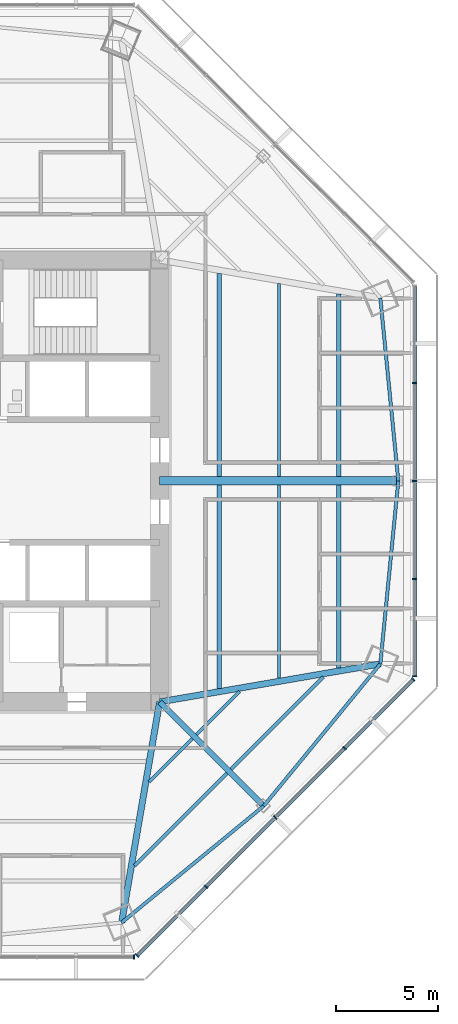
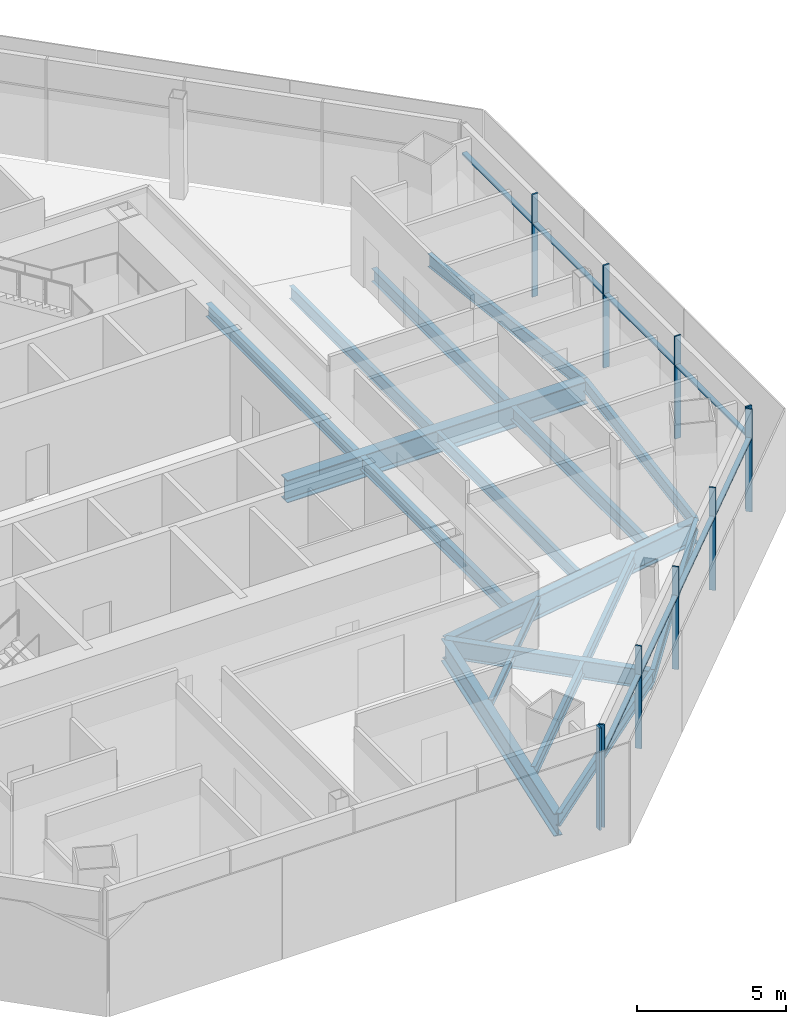
# One storey, part 4 of 15: 18 beams, 18 members, 3 elements without a shape of their own.
"""IFC4 building model written with IfcOpenShell, lengths in metres."""

import ifcopenshell
import ifcopenshell.guid

model = None  # the IFC model being written
_history = None  # IfcOwnerHistory: only IFC2X3 demands one
_inside = {}  # id of a spatial element -> (the spatial element, [elements in it])
_under = {}  # id of a project, library or spatial element -> (it, [spatial elements below it])
_declared = {}  # id of a project -> (the project, [libraries it declares])
_typed = {}  # id of a type object -> (the type object, [elements of that type])
_made_of = {}  # id of a material, layer set ... -> (it, [elements and type objects made of it])


def new_model(schema):
    """Start an empty IFC model of exactly this schema.

    Asked for "IFC4X3", IfcOpenShell would pick the latest addendum, in which some entities
    have other attributes; the version numbers below select the first issue.
    IFC2X3 requires an IfcOwnerHistory on every rooted entity: one is made here for all.
    """
    global model, _history
    if schema == "IFC4X3":
        model = ifcopenshell.file(schema_version=(4, 3, 0, 0))
    else:
        model = ifcopenshell.file(schema=schema)
    _inside.clear()
    _under.clear()
    _declared.clear()
    _typed.clear()
    _made_of.clear()
    _history = None
    if model.schema == "IFC2X3":
        org = make("IfcOrganization", Name="unknown")
        user = make(
            "IfcPersonAndOrganization",
            ThePerson=make("IfcPerson", FamilyName="unknown"),
            TheOrganization=org,
        )
        app = make(
            "IfcApplication",
            ApplicationDeveloper=org,
            Version="unknown",
            ApplicationFullName="unknown",
            ApplicationIdentifier="unknown",
        )
        _history = make(
            "IfcOwnerHistory",
            OwningUser=user,
            OwningApplication=app,
            ChangeAction="ADDED",
            CreationDate=0,
        )
    return model


def make(cls, **values):
    """One entity of the class cls with the attributes given. An attribute that is None is left unset."""
    return model.create_entity(
        cls, **{name: value for name, value in values.items() if value is not None}
    )


def rooted(cls, **values):
    """An entity with a GlobalId (a new one), such as an element, a storey or a relation."""
    return make(cls, GlobalId=ifcopenshell.guid.new(), OwnerHistory=_history, **values)


def si_unit(unit_type, name, prefix=None):
    """IfcSIUnit, for example si_unit("LENGTHUNIT", "METRE", prefix="MILLI")."""
    return make("IfcSIUnit", UnitType=unit_type, Prefix=prefix, Name=name)


def assignment(units):
    """IfcUnitAssignment: the units of a project."""
    return None if units is None else make("IfcUnitAssignment", Units=units)


def point(xyz):
    """IfcCartesianPoint."""
    return None if xyz is None else make("IfcCartesianPoint", Coordinates=xyz)


def direction(xyz):
    """IfcDirection."""
    return None if xyz is None else make("IfcDirection", DirectionRatios=xyz)


def frame(location, z_axis=None, x_axis=None):
    """IfcAxis2Placement3D, a coordinate frame: its origin and axes. An axis left out is left unset."""
    return make(
        "IfcAxis2Placement3D",
        Location=point(location),
        Axis=direction(z_axis),
        RefDirection=direction(x_axis),
    )


def frame_2d(location, x_axis=None):
    """IfcAxis2Placement2D, a coordinate frame in the plane: its origin and x axis."""
    return make(
        "IfcAxis2Placement2D", Location=point(location), RefDirection=direction(x_axis)
    )


def origin():
    """The frame at (0, 0, 0) with its axes left unset."""
    return frame((0.0, 0.0, 0.0))


def origin_2d():
    """The frame at (0, 0) in the plane with its x axis left unset."""
    return frame_2d((0.0, 0.0))


def place(relative_to, where):
    """IfcLocalPlacement: puts the frame where relative to a parent placement (None: the world)."""
    return make(
        "IfcLocalPlacement", PlacementRelTo=relative_to, RelativePlacement=where
    )


def context(
    kind, dimensions, precision=None, world=None, true_north=None, identifier=None
):
    """IfcGeometricRepresentationContext, for example the 3D "Model" context."""
    return make(
        "IfcGeometricRepresentationContext",
        ContextIdentifier=identifier,
        ContextType=kind,
        CoordinateSpaceDimension=dimensions,
        Precision=precision,
        WorldCoordinateSystem=world,
        TrueNorth=true_north,
    )


def subcontext(parent, identifier, kind, view, scale=None):
    """IfcGeometricRepresentationSubContext, for example "Body" below "Model"."""
    return make(
        "IfcGeometricRepresentationSubContext",
        ContextIdentifier=identifier,
        ContextType=kind,
        ParentContext=parent,
        TargetScale=scale,
        TargetView=view,
    )


def project(units=None, contexts=None):
    """IfcProject with its units and contexts."""
    return rooted(
        "IfcProject",
        Name="project",
        RepresentationContexts=contexts,
        UnitsInContext=assignment(units),
    )


def spatial(cls, under=None, at=None, **own):
    """A site, building, storey or space (cls), placed at a placement, below another one or the project."""
    s = rooted(cls, ObjectPlacement=at, **own)
    if under is not None:
        _under.setdefault(under.id(), (under, []))[1].append(s)
    return s


def profile(cls, at=None, kind="AREA", **sizes):
    """A parametric profile (cls). Its sizes go by their IFC names, for example OverallWidth=200.0."""
    return make(cls, ProfileType=kind, Position=at, **sizes)


def rectangle(**sizes):
    """IfcRectangleProfileDef."""
    return profile("IfcRectangleProfileDef", **sizes)


def i_section(**sizes):
    """IfcIShapeProfileDef."""
    return profile("IfcIShapeProfileDef", **sizes)


def extrude(swept, where, along, depth):
    """IfcExtrudedAreaSolid: the profile swept, set in the frame where, extruded along a direction by depth."""
    return make(
        "IfcExtrudedAreaSolid",
        SweptArea=swept,
        Position=where,
        ExtrudedDirection=direction(along),
        Depth=depth,
    )


def shape(context_of_items, identifier, shape_type, items):
    """IfcShapeRepresentation: the items that make up one representation, for example the "Body"."""
    return make(
        "IfcShapeRepresentation",
        ContextOfItems=context_of_items,
        RepresentationIdentifier=identifier,
        RepresentationType=shape_type,
        Items=items,
    )


def source(mapping_origin, context_of_items, identifier, shape_type, items):
    """IfcRepresentationMap: a shape defined once, which mapped items show again and again."""
    return make(
        "IfcRepresentationMap",
        MappingOrigin=mapping_origin,
        MappedRepresentation=shape(context_of_items, identifier, shape_type, items),
    )


def transform(
    local_origin,
    x_axis=None,
    y_axis=None,
    z_axis=None,
    scale=None,
    scale2=None,
    scale3=None,
    uniform=True,
):
    """IfcCartesianTransformationOperator3D, or its non-uniform kind. x_axis, y_axis, z_axis: its Axis1, 2, 3."""
    if uniform:
        return make(
            "IfcCartesianTransformationOperator3D",
            Axis1=direction(x_axis),
            Axis2=direction(y_axis),
            LocalOrigin=point(local_origin),
            Scale=scale,
            Axis3=direction(z_axis),
        )
    return make(
        "IfcCartesianTransformationOperator3DnonUniform",
        Axis1=direction(x_axis),
        Axis2=direction(y_axis),
        LocalOrigin=point(local_origin),
        Scale=scale,
        Axis3=direction(z_axis),
        Scale2=scale2,
        Scale3=scale3,
    )


def mapped(mapping_source, mapping_target):
    """IfcMappedItem: shows the shape of a source again, moved by a transform."""
    return make(
        "IfcMappedItem", MappingSource=mapping_source, MappingTarget=mapping_target
    )


def material(Name=None, Category=None):
    """IfcMaterial."""
    return make("IfcMaterial", Name=Name, Category=Category)


def material_profile(
    of_material, cross_section, Name=None, Category=None, Priority=None
):
    """IfcMaterialProfile: a cross section and its material."""
    return make(
        "IfcMaterialProfile",
        Name=Name,
        Material=of_material,
        Profile=cross_section,
        Priority=Priority,
        Category=Category,
    )


def profile_set(profiles, Name=None, composite=None):
    """IfcMaterialProfileSet."""
    return make(
        "IfcMaterialProfileSet",
        Name=Name,
        MaterialProfiles=profiles,
        CompositeProfile=composite,
    )


def made_of(thing, what):
    """Note that an element or type object is made of a material, layer set ...; save() writes the relation."""
    if what is not None:
        _made_of.setdefault(what.id(), (what, []))[1].append(thing)
    return thing


def type_object(cls, material=None, **own):
    """A type object (cls), such as IfcWallType, which elements share."""
    return made_of(rooted(cls, **own), material)


def type_shapes(of_type, sources):
    """Give a type object the sources (RepresentationMaps) that its elements show as mapped items."""
    of_type.RepresentationMaps = sources


def element(
    cls,
    number,
    at=None,
    inside=None,
    cuts=None,
    type_object=None,
    material=None,
    context=None,
    identifier="Body",
    shape_type=None,
    held_by="IfcProductDefinitionShape",
    body=None,
    shapes=None,
    **own,
):
    """One element of the class cls, such as IfcWall. Its Tag is "e" and its number.

    at: its placement. inside: the storey or other place that contains it. cuts: it is an
    opening in that element (IfcRelVoidsElement). A single representation is given by context,
    identifier, shape_type and body (its items); several are given by shapes. held_by: the class
    of the entity that holds the representations. save() writes the other relations.
    """
    e = rooted(cls, Tag="e%d" % number, ObjectPlacement=at, **own)
    if body is not None:
        shapes = [shape(context, identifier, shape_type, body)]
    if shapes is not None:
        e.Representation = make(held_by, Representations=shapes)
    if inside is not None:
        _inside.setdefault(inside.id(), (inside, []))[1].append(e)
    if cuts is not None:
        rooted(
            "IfcRelVoidsElement", RelatingBuildingElement=cuts, RelatedOpeningElement=e
        )
    if type_object is not None:
        _typed.setdefault(type_object.id(), (type_object, []))[1].append(e)
    return made_of(e, material)


def aggregate(whole, parts):
    """IfcRelAggregates: a whole, such as a stair, and the parts it consists of."""
    return rooted("IfcRelAggregates", RelatingObject=whole, RelatedObjects=parts)


def save(model, path):
    """Write the relations noted so far, then the file.

    IfcRelAggregates (storeys below a building ...), IfcRelContainedInSpatialStructure (elements
    in a storey), IfcRelDefinesByType, IfcRelAssociatesMaterial and IfcRelDeclares: one each for
    every whole, place, type object, material and project.
    """
    for whole, parts in _under.values():
        aggregate(whole, parts)
    for where, things in _inside.values():
        rooted(
            "IfcRelContainedInSpatialStructure",
            RelatedElements=things,
            RelatingStructure=where,
        )
    for kind, things in _typed.values():
        rooted("IfcRelDefinesByType", RelatedObjects=things, RelatingType=kind)
    for what, things in _made_of.values():
        rooted("IfcRelAssociatesMaterial", RelatedObjects=things, RelatingMaterial=what)
    for by, libraries in _declared.values():
        rooted("IfcRelDeclares", RelatingContext=by, RelatedDefinitions=libraries)
    model.write(path)


model = new_model("IFC4")

# Units and contexts
model_context = context("Model", 3, precision=1e-05, world=origin(), true_north=direction((0.0, 1.0)))
body_context = subcontext(model_context, "Body", "Model", "MODEL_VIEW")
ifc_project = project(units=[si_unit("LENGTHUNIT", "METRE"), si_unit("AREAUNIT", "SQUARE_METRE"), si_unit("VOLUMEUNIT", "CUBIC_METRE"), si_unit("PLANEANGLEUNIT", "RADIAN"), si_unit("MASSUNIT", "GRAM", prefix="KILO")], contexts=[model_context])

# Site, building, storey
site_placement = place(None, origin())
site = spatial("IfcSite", under=ifc_project, at=site_placement, CompositionType="ELEMENT")
building_placement = place(site_placement, origin())
building = spatial("IfcBuilding", under=site, at=building_placement, Name="Mashrafa Tower", CompositionType="ELEMENT")
storey_placement = place(building_placement, frame((0.0, 0.0, 168.0)))
storey = spatial("IfcBuildingStorey", under=building, at=storey_placement, Name="L38", CompositionType="ELEMENT", Elevation=168.0)

# Beams
ifc_material_1 = material(Name="Steel ASTM A992", Category="steel")
ifc_material_profile_1 = material_profile(ifc_material_1, i_section(OverallWidth=0.164794921875, OverallDepth=0.309814453125, WebThickness=0.005859375, FlangeThickness=0.009765625, FilletRadius=0.007568359375, at=origin_2d()), Name="W12X26")
ifc_profile_set_1 = profile_set([ifc_material_profile_1], Name="Steel ASTM A992")
beam_type_1 = type_object("IfcBeamType", Name="Beam W12X26", PredefinedType="BEAM", material=ifc_profile_set_1)
for number, where, z_axis, x_axis, name in (
    (1, (12.401123046875, -12.58984375, -0.31982421875), (-0.707066026927, -0.707147533097, 0.0), (0.707147533097, -0.707066026927, 0.0), "Floor beam L38 029"),
    (2, (14.7080078125, -10.283203125, -0.31982421875), (-0.707147533097, -0.707066026927, 0.0), (0.707066026927, -0.707147533097, 0.0), "Floor beam L38 035"),
):
    element("IfcBeam", number, at=place(storey_placement, frame(where, z_axis=z_axis, x_axis=x_axis)), inside=storey, type_object=beam_type_1, Name=name, PredefinedType="BEAM", context=body_context, shape_type="SweptSolid", body=[
        extrude(i_section(OverallWidth=0.164794921875, OverallDepth=0.309814453125, WebThickness=0.005859375, FlangeThickness=0.009765625, FilletRadius=0.007568359375, at=origin_2d()), origin(), (0.0, 0.0, 1.0), 2.995361328125),
    ])
ifc_material_2 = material(Name="Steel ASTM A992", Category="steel")
ifc_material_profile_2 = material_profile(ifc_material_2, i_section(OverallWidth=0.1650390625, OverallDepth=0.52587890625, WebThickness=0.0087890625, FlangeThickness=0.011474609375, FilletRadius=0.0126953125, at=origin_2d()), Name="W21X44")
ifc_profile_set_2 = profile_set([ifc_material_profile_2], Name="Steel ASTM A992")
beam_type_2 = type_object("IfcBeamType", Name="Beam W21X44", PredefinedType="BEAM", material=ifc_profile_set_2)
beam_1_placement = place(storey_placement, frame((14.0966796875, -14.285400390625, -0.427978515625), z_axis=(-0.707125882114, -0.707087679743, 0.0), x_axis=(0.707087679743, -0.707125882114, 0.0)))
element("IfcBeam", 3, at=beam_1_placement, inside=storey, type_object=beam_type_2, Name="Floor beam L38 033", PredefinedType="BEAM", context=body_context, shape_type="SweptSolid", body=[
    extrude(i_section(OverallWidth=0.1650390625, OverallDepth=0.52587890625, WebThickness=0.0087890625, FlangeThickness=0.011474609375, FilletRadius=0.0126953125, at=origin_2d()), origin(), (0.0, 0.0, 1.0), 6.390625),
])
for number, where, z_axis, x_axis, name in (
    (4, (16.63330078125, -0.20947265625, -0.427978515625), (0.0, -1.0, 0.0), (1.0, 0.0, 0.0), "Floor beam L38 036"),
    (5, (16.63330078125, 9.6396484375, -0.427978515625), (0.0, -1.0, 0.0), (1.0, 0.0, 0.0), "Floor beam L38 037"),
):
    element("IfcBeam", number, at=place(storey_placement, frame(where, z_axis=z_axis, x_axis=x_axis)), inside=storey, type_object=beam_type_2, Name=name, PredefinedType="BEAM", context=body_context, shape_type="SweptSolid", body=[
        extrude(i_section(OverallWidth=0.1650390625, OverallDepth=0.52587890625, WebThickness=0.0087890625, FlangeThickness=0.011474609375, FilletRadius=0.0126953125, at=origin_2d()), origin(), (0.0, 0.0, 1.0), 9.43017578125),
    ])
beam_2_placement = place(storey_placement, frame((18.80419921875, -9.57763671875, -0.427978515625), z_axis=(-0.707087679743, -0.707125882114, 0.0), x_axis=(0.707125882114, -0.707087679743, 0.0)))
element("IfcBeam", 6, at=beam_2_placement, inside=storey, type_object=beam_type_2, Name="Floor beam L38 038", PredefinedType="BEAM", context=body_context, shape_type="SweptSolid", body=[
    extrude(i_section(OverallWidth=0.1650390625, OverallDepth=0.52587890625, WebThickness=0.0087890625, FlangeThickness=0.011474609375, FilletRadius=0.0126953125, at=origin_2d()), origin(), (0.0, 0.0, 1.0), 6.390625),
])
for number, where, z_axis, x_axis, name in (
    (7, (8.9423828125, -21.588623046875, -0.427978515625), (0.772831431566, 0.634611360112, 0.0), (-0.634611360112, 0.772831431566, 0.0), "Spandrel beam L38 066"),
    (8, (15.886474609375, -15.886474609375, -0.427978515625), (0.634611360112, 0.772831431566, 0.0), (-0.772831431566, 0.634611360112, 0.0), "Spandrel beam L38 068"),
    (9, (21.588623046875, -8.9423828125, -0.427978515625), (0.097733423294, 0.995212629528, 0.0), (-0.995212629528, 0.097733423294, 0.0), "Spandrel beam L38 070"),
    (10, (22.466796875, 0.0, -0.427978515625), (-0.097733423294, 0.995212629528, 0.0), (-0.995212629528, -0.097733423294, 0.0), "Spandrel beam L38 072"),
):
    element("IfcBeam", number, at=place(storey_placement, frame(where, z_axis=z_axis, x_axis=x_axis)), inside=storey, type_object=beam_type_2, Name=name, PredefinedType="BEAM", context=body_context, shape_type="SweptSolid", body=[
        extrude(i_section(OverallWidth=0.1650390625, OverallDepth=0.52587890625, WebThickness=0.0087890625, FlangeThickness=0.011474609375, FilletRadius=0.0126953125, at=origin_2d()), origin(), (0.0, 0.0, 1.0), 8.9853515625),
    ])
ifc_material_3 = material(Name="Steel ASTM A992", Category="steel")
ifc_material_profile_3 = material_profile(ifc_material_3, i_section(OverallWidth=0.209228515625, OverallDepth=0.533447265625, WebThickness=0.01025390625, FlangeThickness=0.015625, FilletRadius=0.012939453125, at=origin_2d()), Name="W21X62")
ifc_profile_set_3 = profile_set([ifc_material_profile_3], Name="Steel ASTM A992")
beam_type_3 = type_object("IfcBeamType", Name="Beam W21X62", PredefinedType="BEAM", material=ifc_profile_set_3)
for number, where, z_axis, x_axis, name in (
    (11, (13.716796875, -0.20947265625, -0.431640625), (0.0, -1.0, 0.0), (1.0, 0.0, 0.0), "Floor beam L38 031"),
    (12, (13.716796875, 10.141845703125, -0.431640625), (0.0, -1.0, 0.0), (1.0, 0.0, 0.0), "Floor beam L38 032"),
):
    element("IfcBeam", number, at=place(storey_placement, frame(where, z_axis=z_axis, x_axis=x_axis)), inside=storey, type_object=beam_type_3, Name=name, PredefinedType="BEAM", context=body_context, shape_type="SweptSolid", body=[
        extrude(i_section(OverallWidth=0.209228515625, OverallDepth=0.533447265625, WebThickness=0.01025390625, FlangeThickness=0.015625, FilletRadius=0.012939453125, at=origin_2d()), origin(), (0.0, 0.0, 1.0), 9.932373046875),
    ])
for number, where, z_axis, x_axis, name in (
    (13, (19.55029296875, -0.20947265625, -0.431640625), (0.0, -1.0, 0.0), (1.0, 0.0, 0.0), "Floor beam L38 039"),
    (14, (19.55029296875, 9.137451171875, -0.431640625), (0.0, -1.0, 0.0), (1.0, 0.0, 0.0), "Floor beam L38 040"),
):
    element("IfcBeam", number, at=place(storey_placement, frame(where, z_axis=z_axis, x_axis=x_axis)), inside=storey, type_object=beam_type_3, Name=name, PredefinedType="BEAM", context=body_context, shape_type="SweptSolid", body=[
        extrude(i_section(OverallWidth=0.209228515625, OverallDepth=0.533447265625, WebThickness=0.01025390625, FlangeThickness=0.015625, FilletRadius=0.012939453125, at=origin_2d()), origin(), (0.0, 0.0, 1.0), 8.927978515625),
    ])
ifc_material_4 = material(Name="Steel ASTM A992", Category="steel")
ifc_material_profile_4 = material_profile(ifc_material_4, i_section(OverallWidth=0.2666015625, OverallDepth=0.75439453125, WebThickness=0.01318359375, FlangeThickness=0.01708984375, FilletRadius=0.0166015625, at=origin_2d()), Name="W30X99")
ifc_profile_set_4 = profile_set([ifc_material_profile_4], Name="Steel ASTM A992")
beam_type_4 = type_object("IfcBeamType", Name="Beam W30X99", PredefinedType="BEAM", material=ifc_profile_set_4)
beam_3_placement = place(storey_placement, frame((10.800048828125, -10.800048828125, -0.542236328125), z_axis=(0.707106781187, -0.707106781187, 0.0), x_axis=(0.707106781187, 0.707106781187, 0.0)))
element("IfcBeam", 15, at=beam_3_placement, inside=storey, type_object=beam_type_4, Name="Radial girder L38 051", PredefinedType="BEAM", context=body_context, shape_type="SweptSolid", body=[
    extrude(i_section(OverallWidth=0.2666015625, OverallDepth=0.75439453125, WebThickness=0.01318359375, FlangeThickness=0.01708984375, FilletRadius=0.0166015625, at=origin_2d()), origin(), (0.0, 0.0, 1.0), 7.193359375),
])
ifc_material_5 = material(Name="Steel ASTM A992", Category="steel")
ifc_material_profile_5 = material_profile(ifc_material_5, i_section(OverallWidth=0.307373046875, OverallDepth=0.927001953125, WebThickness=0.01953125, FlangeThickness=0.031982421875, FilletRadius=0.01904296875, at=origin_2d()), Name="W36X194")
ifc_profile_set_5 = profile_set([ifc_material_profile_5], Name="Steel ASTM A992")
beam_type_5 = type_object("IfcBeamType", Name="Beam W36X194", PredefinedType="BEAM", material=ifc_profile_set_5)
for number, where, z_axis, x_axis, name in (
    (16, (10.800048828125, -10.800048828125, -0.628662109375), (-0.169691083637, -0.985497303971, 0.0), (0.985497303971, -0.169691083637, 0.0), "Radial girder L38 050"),
    (17, (10.800048828125, -10.800048828125, -0.628662109375), (0.985497303971, 0.169691083637, 0.0), (-0.169691083637, 0.985497303971, 0.0), "Radial girder L38 052"),
):
    element("IfcBeam", number, at=place(storey_placement, frame(where, z_axis=z_axis, x_axis=x_axis)), inside=storey, type_object=beam_type_5, Name=name, PredefinedType="BEAM", context=body_context, shape_type="SweptSolid", body=[
        extrude(i_section(OverallWidth=0.307373046875, OverallDepth=0.927001953125, WebThickness=0.01953125, FlangeThickness=0.031982421875, FilletRadius=0.01904296875, at=origin_2d()), origin(), (0.0, 0.0, 1.0), 10.947265625),
    ])
ifc_material_6 = material(Name="Steel ASTM A992", Category="steel")
ifc_material_profile_6 = material_profile(ifc_material_6, i_section(OverallWidth=0.419189453125, OverallDepth=0.927001953125, WebThickness=0.019287109375, FlangeThickness=0.031982421875, FilletRadius=0.020263671875, at=origin_2d()), Name="W36X231")
ifc_profile_set_6 = profile_set([ifc_material_profile_6], Name="Steel ASTM A992")
beam_type_6 = type_object("IfcBeamType", Name="Beam W36X231", PredefinedType="BEAM", material=ifc_profile_set_6)
beam_4_placement = place(storey_placement, frame((10.800048828125, 0.0, -0.628662109375), z_axis=(1.0, 0.0, 0.0), x_axis=(0.0, 1.0, 0.0)))
element("IfcBeam", 18, at=beam_4_placement, inside=storey, type_object=beam_type_6, Name="Radial girder L38 053", PredefinedType="BEAM", context=body_context, shape_type="SweptSolid", body=[
    extrude(i_section(OverallWidth=0.419189453125, OverallDepth=0.927001953125, WebThickness=0.019287109375, FlangeThickness=0.031982421875, FilletRadius=0.020263671875, at=origin_2d()), origin(), (0.0, 0.0, 1.0), 11.666748046875),
])

# Curtain wall, members
ifc_material_7 = material(Name="Unitised aluminium curtain wall", Category="aluminium")
curtain_wall_type = type_object("IfcCurtainWallType", Name="Office curtain wall, zone 2 CW-B 225 deep", PredefinedType="NOTDEFINED", material=ifc_material_7)
curtain_wall_1_placement = place(storey_placement, origin())
curtain_wall_1 = element("IfcCurtainWall", 19, at=curtain_wall_1_placement, inside=storey, type_object=curtain_wall_type, Name="Office curtain wall, zone 2 L38 east", PredefinedType="NOTDEFINED")
ifc_material_8 = material(Name="Extruded aluminium mullion", Category="aluminium")
ifc_material_profile_7 = material_profile(ifc_material_8, rectangle(XDim=0.22509765625, YDim=0.06494140625, at=origin_2d()), Name="Mullion 65x225")
ifc_profile_set_7 = profile_set([ifc_material_profile_7], Name="Extruded aluminium mullion")
member_type_1 = type_object("IfcMemberType", Name="Mullion CW-B 65 x 225", PredefinedType="MULLION", material=ifc_profile_set_7)
shared_shape_1 = source(origin(), body_context, "Body", "SweptSolid", [
    extrude(rectangle(XDim=0.22509765625, YDim=0.06494140625, at=origin_2d()), origin(), (0.0, 0.0, 1.0), 4.199951171875),
])
type_shapes(member_type_1, [shared_shape_1])
member_1_placement = place(storey_placement, frame((23.26220703125, -9.54638671875, 0.0), z_axis=(0.0, 0.0, 1.0), x_axis=(-1.0, 0.0, 0.0)))
member_1 = element("IfcMember", 20, at=member_1_placement, type_object=member_type_1, Name="CW-B mullion 1", PredefinedType="MULLION", context=body_context, shape_type="MappedRepresentation", body=[
    mapped(shared_shape_1, transform((0.0, 0.0, 0.0))),
])
member_2_placement = place(storey_placement, frame((23.26220703125, -4.78955078125, 0.0), z_axis=(0.0, 0.0, 1.0), x_axis=(-1.0, 0.0, 0.0)))
member_2 = element("IfcMember", 21, at=member_2_placement, type_object=member_type_1, Name="CW-B mullion 2", PredefinedType="MULLION", context=body_context, shape_type="MappedRepresentation", body=[
    mapped(shared_shape_1, transform((0.0, 0.0, 0.0))),
])
member_3_placement = place(storey_placement, frame((23.26220703125, 0.0, 0.0), z_axis=(0.0, 0.0, 1.0), x_axis=(-1.0, 0.0, 0.0)))
member_3 = element("IfcMember", 22, at=member_3_placement, type_object=member_type_1, Name="CW-B mullion 3", PredefinedType="MULLION", context=body_context, shape_type="MappedRepresentation", body=[
    mapped(shared_shape_1, transform((0.0, 0.0, 0.0))),
])
member_4_placement = place(storey_placement, frame((23.26220703125, 4.78955078125, 0.0), z_axis=(0.0, 0.0, 1.0), x_axis=(-1.0, 0.0, 0.0)))
member_4 = element("IfcMember", 23, at=member_4_placement, type_object=member_type_1, Name="CW-B mullion 4", PredefinedType="MULLION", context=body_context, shape_type="MappedRepresentation", body=[
    mapped(shared_shape_1, transform((0.0, 0.0, 0.0))),
])

# Curtain wall, member
curtain_wall_2_placement = place(storey_placement, origin())
curtain_wall_2 = element("IfcCurtainWall", 24, at=curtain_wall_2_placement, inside=storey, type_object=curtain_wall_type, Name="Office curtain wall, zone 2 L38 south", PredefinedType="NOTDEFINED")
member_5_placement = place(storey_placement, frame((9.54638671875, -23.26220703125, 0.0), z_axis=(0.0, 0.0, 1.0), x_axis=(0.0, 1.0, 0.0)))
member_5 = element("IfcMember", 25, at=member_5_placement, type_object=member_type_1, Name="CW-B mullion 5", PredefinedType="MULLION", context=body_context, shape_type="MappedRepresentation", body=[
    mapped(shared_shape_1, transform((0.0, 0.0, 0.0))),
])
aggregate(curtain_wall_2, [member_5])

# Curtain wall, members
curtain_wall_3_placement = place(storey_placement, origin())
curtain_wall_3 = element("IfcCurtainWall", 26, at=curtain_wall_3_placement, inside=storey, type_object=curtain_wall_type, Name="Office curtain wall, zone 2 L38 south-east", PredefinedType="NOTDEFINED")
member_6_placement = place(storey_placement, frame((9.698486328125, -23.19921875, 0.0), z_axis=(0.0, 0.0, 1.0), x_axis=(-0.707106781187, 0.707106781187, 0.0)))
member_6 = element("IfcMember", 27, at=member_6_placement, type_object=member_type_1, Name="CW-B mullion 1", PredefinedType="MULLION", context=body_context, shape_type="MappedRepresentation", body=[
    mapped(shared_shape_1, transform((0.0, 0.0, 0.0))),
])
member_7_placement = place(storey_placement, frame((13.062255859375, -19.83544921875, 0.0), z_axis=(0.0, 0.0, 1.0), x_axis=(-0.707106781187, 0.707106781187, 0.0)))
member_7 = element("IfcMember", 28, at=member_7_placement, type_object=member_type_1, Name="CW-B mullion 2", PredefinedType="MULLION", context=body_context, shape_type="MappedRepresentation", body=[
    mapped(shared_shape_1, transform((0.0, 0.0, 0.0))),
])
member_8_placement = place(storey_placement, frame((16.448974609375, -16.448974609375, 0.0), z_axis=(0.0, 0.0, 1.0), x_axis=(-0.707106781187, 0.707106781187, 0.0)))
member_8 = element("IfcMember", 29, at=member_8_placement, type_object=member_type_1, Name="CW-B mullion 3", PredefinedType="MULLION", context=body_context, shape_type="MappedRepresentation", body=[
    mapped(shared_shape_1, transform((0.0, 0.0, 0.0))),
])
member_9_placement = place(storey_placement, frame((19.83544921875, -13.062255859375, 0.0), z_axis=(0.0, 0.0, 1.0), x_axis=(-0.707106781187, 0.707106781187, 0.0)))
member_9 = element("IfcMember", 30, at=member_9_placement, type_object=member_type_1, Name="CW-B mullion 4", PredefinedType="MULLION", context=body_context, shape_type="MappedRepresentation", body=[
    mapped(shared_shape_1, transform((0.0, 0.0, 0.0))),
])
member_10_placement = place(storey_placement, frame((23.19921875, -9.698486328125, 0.0), z_axis=(0.0, 0.0, 1.0), x_axis=(-0.707106781187, 0.707106781187, 0.0)))
member_10 = element("IfcMember", 31, at=member_10_placement, type_object=member_type_1, Name="CW-B mullion 5", PredefinedType="MULLION", context=body_context, shape_type="MappedRepresentation", body=[
    mapped(shared_shape_1, transform((0.0, 0.0, 0.0))),
])

# Member
ifc_material_9 = material(Name="Extruded aluminium transom", Category="aluminium")
ifc_material_profile_8 = material_profile(ifc_material_9, rectangle(XDim=0.179931640625, YDim=0.080078125, at=origin_2d()), Name="Transom 80x180")
ifc_profile_set_8 = profile_set([ifc_material_profile_8], Name="Extruded aluminium transom")
member_type_2 = type_object("IfcMemberType", Name="Transom CW-B 80 x 180", PredefinedType="MULLION", material=ifc_profile_set_8)
shared_shape_2 = source(origin(), body_context, "Body", "SweptSolid", [
    extrude(rectangle(XDim=0.179931640625, YDim=0.080078125, at=origin_2d()), origin(), (0.0, 0.0, 1.0), 4.69189453125),
])
member_11_placement = place(storey_placement, frame((23.26220703125, -9.513916015625, 3.0), z_axis=(0.0, 1.0, 0.0), x_axis=(-1.0, 0.0, 0.0)))
member_11 = element("IfcMember", 32, at=member_11_placement, type_object=member_type_2, Name="CW-B transom 1", PredefinedType="MULLION", context=body_context, shape_type="MappedRepresentation", body=[
    mapped(shared_shape_2, transform((0.0, 0.0, 0.0))),
])

member_12_placement = place(storey_placement, frame((23.26220703125, 4.822021484375, 3.0), z_axis=(0.0, 1.0, 0.0), x_axis=(-1.0, 0.0, 0.0)))
member_12 = element("IfcMember", 33, at=member_12_placement, type_object=member_type_2, Name="CW-B transom 4", PredefinedType="MULLION", context=body_context, shape_type="MappedRepresentation", body=[
    mapped(shared_shape_2, transform((0.0, 0.0, 0.0))),
])

member_13_placement = place(storey_placement, frame((9.721435546875, -23.17626953125, 3.0), z_axis=(0.707132797367, 0.707080764049, 0.0), x_axis=(-0.707080764049, 0.707132797367, 0.0)))
member_13 = element("IfcMember", 34, at=member_13_placement, type_object=member_type_2, Name="CW-B transom 1", PredefinedType="MULLION", context=body_context, shape_type="MappedRepresentation", body=[
    mapped(shared_shape_2, transform((0.0, 0.0, 0.0))),
])

member_14_placement = place(storey_placement, frame((19.858642578125, -13.039306640625, 3.0), z_axis=(0.707080764049, 0.707132797367, 0.0), x_axis=(-0.707132797367, 0.707080764049, 0.0)))
member_14 = element("IfcMember", 35, at=member_14_placement, type_object=member_type_2, Name="CW-B transom 4", PredefinedType="MULLION", context=body_context, shape_type="MappedRepresentation", body=[
    mapped(shared_shape_2, transform((0.0, 0.0, 0.0))),
])

shared_shape_3 = source(origin(), body_context, "Body", "SweptSolid", [
    extrude(rectangle(XDim=0.179931640625, YDim=0.080078125, at=origin_2d()), origin(), (0.0, 0.0, 1.0), 4.724609375),
])
member_15_placement = place(storey_placement, frame((23.26220703125, -4.757080078125, 3.0), z_axis=(0.0, 1.0, 0.0), x_axis=(-1.0, 0.0, 0.0)))
member_15 = element("IfcMember", 36, at=member_15_placement, type_object=member_type_2, Name="CW-B transom 2", PredefinedType="MULLION", context=body_context, shape_type="MappedRepresentation", body=[
    mapped(shared_shape_3, transform((0.0, 0.0, 0.0))),
])

member_16_placement = place(storey_placement, frame((23.26220703125, 0.032470703125, 3.0), z_axis=(0.0, 1.0, 0.0), x_axis=(-1.0, 0.0, 0.0)))
member_16 = element("IfcMember", 37, at=member_16_placement, type_object=member_type_2, Name="CW-B transom 3", PredefinedType="MULLION", context=body_context, shape_type="MappedRepresentation", body=[
    mapped(shared_shape_3, transform((0.0, 0.0, 0.0))),
])

aggregate(curtain_wall_1, [member_1, member_2, member_3, member_4, member_11, member_15, member_16, member_12])

shared_shape_4 = source(origin(), body_context, "Body", "SweptSolid", [
    extrude(rectangle(XDim=0.179931640625, YDim=0.080078125, at=origin_2d()), origin(), (0.0, 0.0, 1.0), 4.724365234375),
])
type_shapes(member_type_2, [shared_shape_2, shared_shape_3, shared_shape_4])
member_17_placement = place(storey_placement, frame((13.085205078125, -19.8125, 3.0), z_axis=(0.70713261865, 0.707080942779, 0.0), x_axis=(-0.707080942779, 0.70713261865, 0.0)))
member_17 = element("IfcMember", 38, at=member_17_placement, type_object=member_type_2, Name="CW-B transom 2", PredefinedType="MULLION", context=body_context, shape_type="MappedRepresentation", body=[
    mapped(shared_shape_4, transform((0.0, 0.0, 0.0))),
])

member_18_placement = place(storey_placement, frame((16.471923828125, -16.426025390625, 3.0), z_axis=(0.707080942779, 0.70713261865, 0.0), x_axis=(-0.70713261865, 0.707080942779, 0.0)))
member_18 = element("IfcMember", 39, at=member_18_placement, type_object=member_type_2, Name="CW-B transom 3", PredefinedType="MULLION", context=body_context, shape_type="MappedRepresentation", body=[
    mapped(shared_shape_4, transform((0.0, 0.0, 0.0))),
])

aggregate(curtain_wall_3, [member_6, member_7, member_8, member_9, member_10, member_13, member_17, member_18, member_14])

save(model, "model.ifc")
